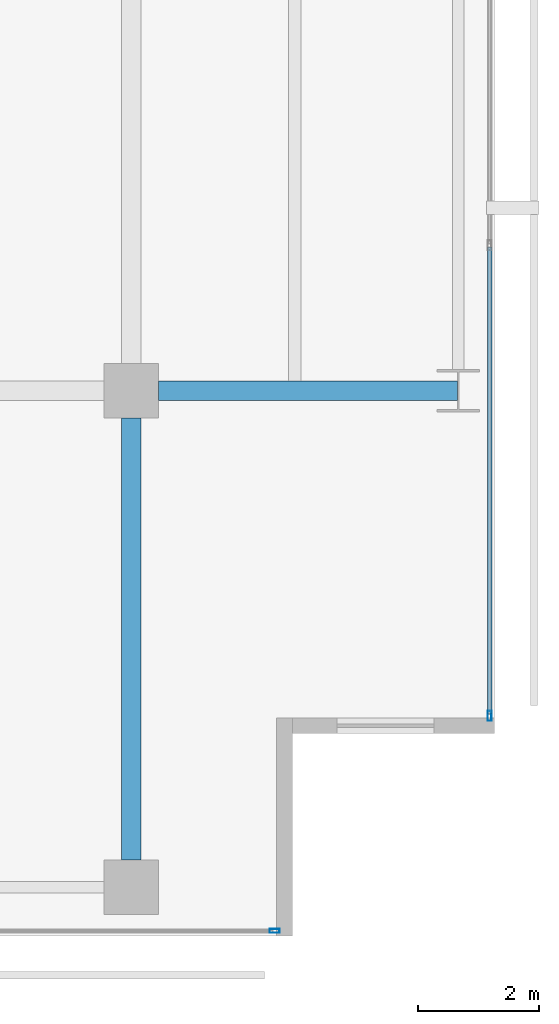
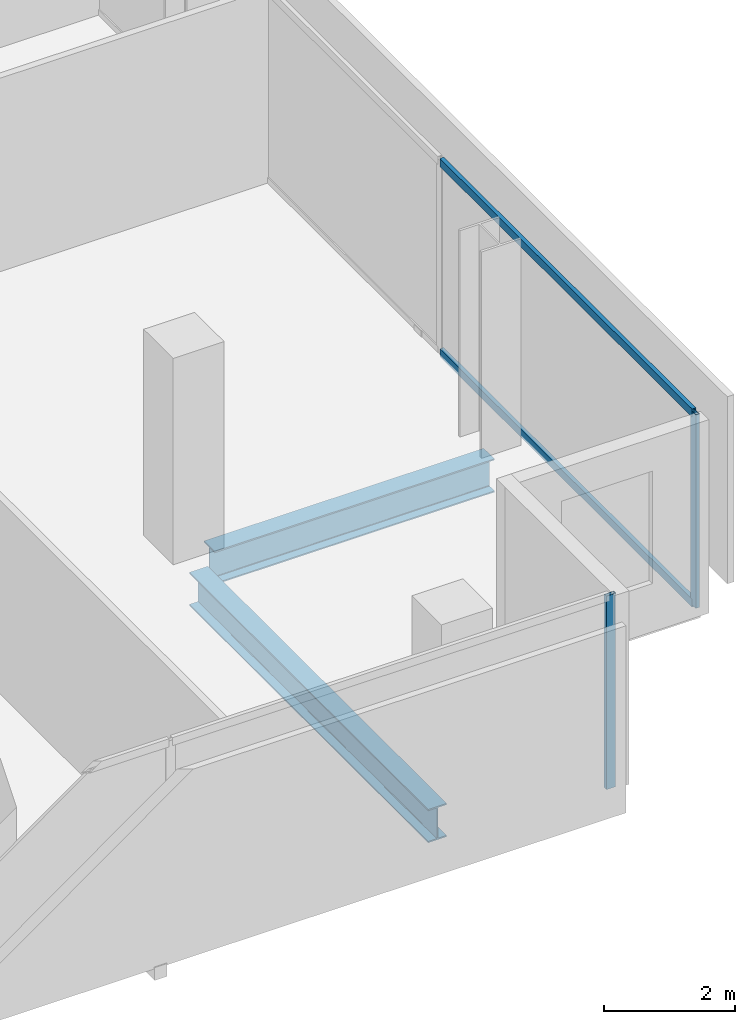
# One storey, part 16 of 39: 4 members, 2 beams, 2 elements without a shape of their own.
"""IFC4 building model written with IfcOpenShell, lengths in metres."""

from ifc_helpers import new_model, si_unit, direction, frame, origin, origin_2d, place, context, subcontext, project, spatial, hollow_rectangle, i_section, extrude, material, layer, layer_set, material_profile, profile_set, type_object, element, aggregate, save


model = new_model("IFC4")

# Units and contexts
model_context = context("Model", 3, precision=1e-05, world=origin(), true_north=direction((0.0, 1.0)))
body_context = subcontext(model_context, "Body", "Model", "MODEL_VIEW")
ifc_project = project(units=[si_unit("LENGTHUNIT", "METRE"), si_unit("AREAUNIT", "SQUARE_METRE"), si_unit("VOLUMEUNIT", "CUBIC_METRE"), si_unit("PLANEANGLEUNIT", "RADIAN"), si_unit("MASSUNIT", "GRAM", prefix="KILO")], contexts=[model_context])

# Site, building, storey
site_placement = place(None, origin())
site = spatial("IfcSite", under=ifc_project, at=site_placement, CompositionType="ELEMENT")
building_placement = place(site_placement, origin())
building = spatial("IfcBuilding", under=site, at=building_placement, Name="Maruvema Waterfront Hotel and Observation Tower", CompositionType="ELEMENT")
storey_placement = place(building_placement, frame((0.0, 0.0, 46.199951171875)))
storey = spatial("IfcBuildingStorey", under=building, at=storey_placement, Name="L10", CompositionType="ELEMENT", Elevation=46.199951171875)

# Curtain wall, members
ifc_material_1 = material(Name="Anodised bronze aluminium and solar-control low-E IGU", Category="aluminium")
ifc_layer = layer(ifc_material_1, 0.159912109375, Name="Zone 1 Bronze Inner Thermal Curtain Wall System CW-02")
ifc_layer_set = layer_set([ifc_layer], Name="Anodised bronze aluminium and solar-control low-E IGU")
curtain_wall_type = type_object("IfcCurtainWallType", Name="Zone 1 Bronze Inner Thermal Curtain Wall System CW-02", PredefinedType="USERDEFINED", material=ifc_layer_set)
curtain_wall_1_placement = place(storey_placement, origin())
curtain_wall_1 = element("IfcCurtainWall", 1, at=curtain_wall_1_placement, inside=storey, type_object=curtain_wall_type, Name="L10 Curtain Wall CW-L10-E", ObjectType="UNITISED CURTAIN WALL", PredefinedType="USERDEFINED")
ifc_material_2 = material(Name="Anodised architectural bronze aluminium", Category="aluminium")
ifc_material_profile_1 = material_profile(ifc_material_2, hollow_rectangle(XDim=0.070068359375, YDim=0.14990234375, WallThickness=0.00390625, at=origin_2d()), Name="ALU-T70x150")
ifc_profile_set_1 = profile_set([ifc_material_profile_1], Name="Anodised architectural bronze aluminium")
member_type_1 = type_object("IfcMemberType", Name="Curtain Wall Horizontal Transom ALU-T70x150", PredefinedType="USERDEFINED", material=ifc_profile_set_1)
member_1_placement = place(storey_placement, frame((64.719970703125, 3.659912109375, 0.030029296875), z_axis=(0.0, 1.0, 0.0), x_axis=(-1.0, 0.0, 0.0)))
member_1 = element("IfcMember", 2, at=member_1_placement, type_object=member_type_1, Name="CW-02 transom 1.1", ObjectType="TRANSOM", PredefinedType="USERDEFINED", context=body_context, shape_type="SweptSolid", body=[
    extrude(hollow_rectangle(XDim=0.070068359375, YDim=0.14990234375, WallThickness=0.00390625, at=origin_2d()), origin(), (0.0, 0.0, 1.0), 7.710205078125),
])
member_2_placement = place(storey_placement, frame((64.719970703125, 3.659912109375, 3.580078125), z_axis=(0.0, 1.0, 0.0), x_axis=(-1.0, 0.0, 0.0)))
member_2 = element("IfcMember", 3, at=member_2_placement, type_object=member_type_1, Name="CW-02 transom 1.2", ObjectType="TRANSOM", PredefinedType="USERDEFINED", context=body_context, shape_type="SweptSolid", body=[
    extrude(hollow_rectangle(XDim=0.070068359375, YDim=0.14990234375, WallThickness=0.00390625, at=origin_2d()), origin(), (0.0, 0.0, 1.0), 7.710205078125),
])

# Curtain wall, member
curtain_wall_2_placement = place(storey_placement, origin())
curtain_wall_2 = element("IfcCurtainWall", 4, at=curtain_wall_2_placement, inside=storey, type_object=curtain_wall_type, Name="L10 Curtain Wall CW-L10-S", ObjectType="UNITISED CURTAIN WALL", PredefinedType="USERDEFINED")
ifc_material_3 = material(Name="Anodised architectural bronze aluminium", Category="aluminium")
ifc_material_profile_2 = material_profile(ifc_material_3, hollow_rectangle(XDim=0.06494140625, YDim=0.1650390625, WallThickness=0.00390625, at=origin_2d()), Name="ALU-M65x165")
ifc_profile_set_2 = profile_set([ifc_material_profile_2], Name="Anodised architectural bronze aluminium")
member_type_2 = type_object("IfcMemberType", Name="Curtain Wall Primary Mullion ALU-M65x165", PredefinedType="MULLION", material=ifc_profile_set_2)
member_3_placement = place(storey_placement, frame((61.169921875, 0.080078125, 0.0), z_axis=(0.0, 0.0, 1.0), x_axis=(0.0, 1.0, 0.0)))
member_3 = element("IfcMember", 5, at=member_3_placement, type_object=member_type_2, Name="CW-02 mullion 7", PredefinedType="MULLION", context=body_context, shape_type="SweptSolid", body=[
    extrude(hollow_rectangle(XDim=0.06494140625, YDim=0.1650390625, WallThickness=0.00390625, at=origin_2d()), origin(), (0.0, 0.0, 1.0), 3.610107421875),
])
aggregate(curtain_wall_2, [member_3])

# Member
member_4_placement = place(storey_placement, frame((64.719970703125, 3.6298828125, 0.0), z_axis=(0.0, 0.0, 1.0), x_axis=(-1.0, 0.0, 0.0)))
member_4 = element("IfcMember", 6, at=member_4_placement, type_object=member_type_2, Name="CW-02 mullion 1", PredefinedType="MULLION", context=body_context, shape_type="SweptSolid", body=[
    extrude(hollow_rectangle(XDim=0.06494140625, YDim=0.1650390625, WallThickness=0.00390625, at=origin_2d()), origin(), (0.0, 0.0, 1.0), 3.610107421875),
])

aggregate(curtain_wall_1, [member_4, member_1, member_2])

# Beams
ifc_material_4 = material(Name="Steel ASTM A572 Grade 50", Category="steel")
ifc_material_profile_3 = material_profile(ifc_material_4, i_section(OverallWidth=0.326904296875, OverallDepth=0.6220703125, WebThickness=0.015380859375, FlangeThickness=0.0244140625, FilletRadius=0.01806640625, at=origin_2d()), Name="W610x195.0")
ifc_profile_set_3 = profile_set([ifc_material_profile_3], Name="Steel ASTM A572 Grade 50")
beam_type = type_object("IfcBeamType", Name="Primary Floor Girder W610x195.0", PredefinedType="BEAM", material=ifc_profile_set_3)
beam_1_placement = place(storey_placement, frame((59.25, 9.0, -0.551025390625), z_axis=(1.0, 0.0, 0.0), x_axis=(0.0, 1.0, 0.0)))
element("IfcBeam", 7, at=beam_1_placement, inside=storey, type_object=beam_type, Name="L10 Floor Girder EW-12", PredefinedType="BEAM", context=body_context, shape_type="SweptSolid", body=[
    extrude(i_section(OverallWidth=0.326904296875, OverallDepth=0.6220703125, WebThickness=0.015380859375, FlangeThickness=0.0244140625, FilletRadius=0.01806640625, at=origin_2d()), origin(), (0.0, 0.0, 1.0), 4.93603515625),
])
beam_2_placement = place(storey_placement, frame((58.800048828125, 1.25, -0.551025390625), z_axis=(0.0, 1.0, 0.0), x_axis=(-1.0, 0.0, 0.0)))
element("IfcBeam", 8, at=beam_2_placement, inside=storey, type_object=beam_type, Name="L10 Floor Girder NS-27", PredefinedType="BEAM", context=body_context, shape_type="SweptSolid", body=[
    extrude(i_section(OverallWidth=0.326904296875, OverallDepth=0.6220703125, WebThickness=0.015380859375, FlangeThickness=0.0244140625, FilletRadius=0.01806640625, at=origin_2d()), origin(), (0.0, 0.0, 1.0), 7.300048828125),
])

save(model, "model.ifc")
